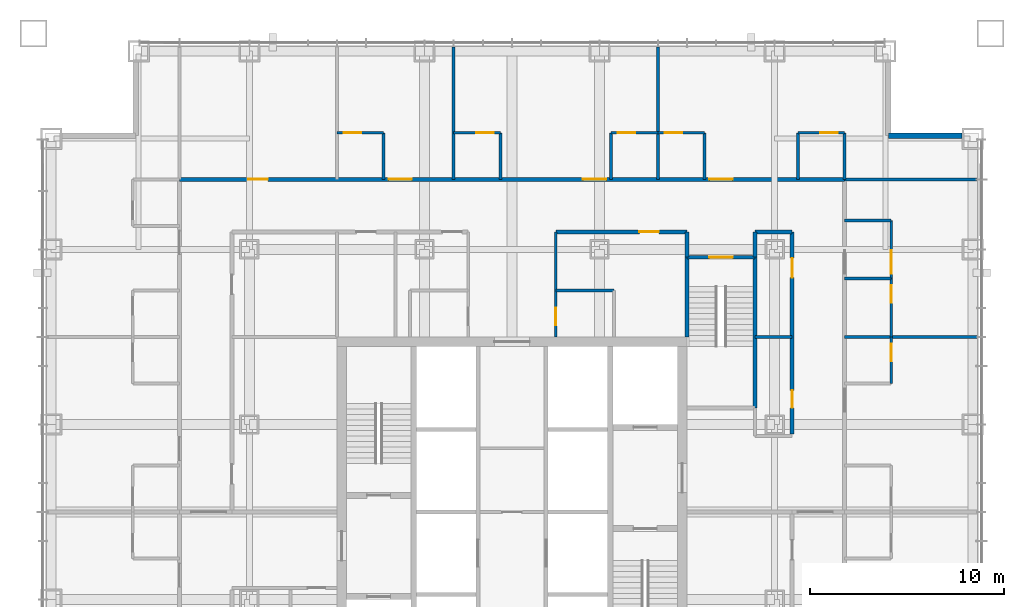
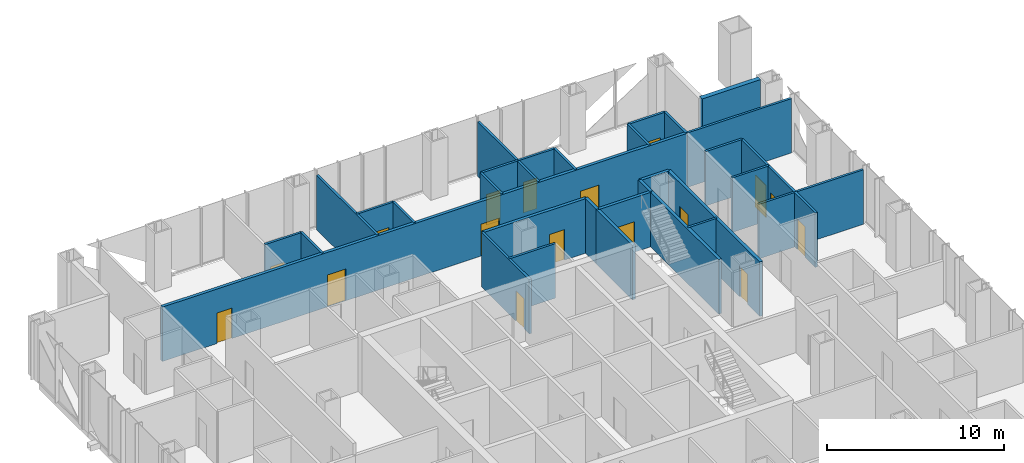
# One storey, part 12 of 14: 33 walls, 17 doors, 17 openings.
"""IFC4 building model written with IfcOpenShell, lengths in metres."""

from ifc_helpers import new_model, si_unit, direction, frame, frame_2d, origin, place, context, subcontext, project, spatial, rectangle, extrude, material, layer, layer_set, type_object, element, fill, save


model = new_model("IFC4")

# Units and contexts
model_context = context("Model", 3, precision=1e-05, world=origin(), true_north=direction((0.0, 1.0)))
body_context = subcontext(model_context, "Body", "Model", "MODEL_VIEW")
ifc_project = project(units=[si_unit("LENGTHUNIT", "METRE"), si_unit("AREAUNIT", "SQUARE_METRE"), si_unit("VOLUMEUNIT", "CUBIC_METRE"), si_unit("PLANEANGLEUNIT", "RADIAN"), si_unit("MASSUNIT", "GRAM", prefix="KILO")], contexts=[model_context])

# Site, building, storey
site_placement = place(None, origin())
site = spatial("IfcSite", under=ifc_project, at=site_placement, CompositionType="ELEMENT")
building_placement = place(site_placement, origin())
building = spatial("IfcBuilding", under=site, at=building_placement, Name="Malebo Sky Hospital", CompositionType="ELEMENT")
storey_placement = place(building_placement, frame((0.0, 0.0, 164.0)))
storey = spatial("IfcBuildingStorey", under=building, at=storey_placement, Name="L39", CompositionType="ELEMENT", Elevation=164.0)

# Wall, openings, doors
ifc_material_1 = material(Name="Gypsum board on steel studs", Category="steel")
ifc_layer_1 = layer(ifc_material_1, 0.199951171875)
ifc_layer_set_1 = layer_set([ifc_layer_1], Name="CORRIDOR WALL 200")
wall_type_1 = type_object("IfcWallType", Name="CORRIDOR WALL 200", PredefinedType="PARTITIONING", material=ifc_layer_set_1)
wall_1_placement = place(storey_placement, frame((42.89990234375, 79.10009765625, 0.0), z_axis=(0.0, 0.0, 1.0), x_axis=(1.0, 0.0, 0.0)))
wall_1 = element("IfcWall", 1, at=wall_1_placement, inside=storey, type_object=wall_type_1, Name="Corridor Wall 200 NCO", PredefinedType="PARTITIONING", context=body_context, shape_type="SweptSolid", body=[
    extrude(rectangle(XDim=34.2001953125, YDim=0.199951171875, at=frame_2d((17.10009765625, 0.0))), origin(), (0.0, 0.0, 1.0), 3.75),
])
opening_1_placement = place(wall_1_placement, frame((3.550048828125, 0.0, 0.0)))
opening_1 = element("IfcOpeningElement", 2, at=opening_1_placement, cuts=wall_1, Name="Opening D03", PredefinedType="OPENING", context=body_context, shape_type="SweptSolid", body=[
    extrude(rectangle(XDim=1.0, YDim=2.10009765625, at=frame_2d((0.5, 1.050048828125))), frame((0.0, 0.10986328125, 0.0), z_axis=(0.0, -1.0, 0.0), x_axis=(1.0, 0.0, 0.0)), (0.0, 0.0, 1.0), 0.219970703125),
])
opening_2_placement = place(wall_1_placement, frame((10.75, 0.0, 0.0)))
opening_2 = element("IfcOpeningElement", 3, at=opening_2_placement, cuts=wall_1, Name="Opening D01", PredefinedType="OPENING", context=body_context, shape_type="SweptSolid", body=[
    extrude(rectangle(XDim=1.199951171875, YDim=2.199951171875, at=frame_2d((0.60009765625, 1.10009765625))), frame((0.0, 0.10986328125, 0.0), z_axis=(0.0, -1.0, 0.0), x_axis=(1.0, 0.0, 0.0)), (0.0, 0.0, 1.0), 0.219970703125),
])
opening_3_placement = place(wall_1_placement, frame((20.75, 0.0, 0.0)))
opening_3 = element("IfcOpeningElement", 4, at=opening_3_placement, cuts=wall_1, Name="Opening D01", PredefinedType="OPENING", context=body_context, shape_type="SweptSolid", body=[
    extrude(rectangle(XDim=1.199951171875, YDim=2.199951171875, at=frame_2d((0.60009765625, 1.10009765625))), frame((0.0, 0.10986328125, 0.0), z_axis=(0.0, -1.0, 0.0), x_axis=(1.0, 0.0, 0.0)), (0.0, 0.0, 1.0), 0.219970703125),
])
opening_4_placement = place(wall_1_placement, frame((27.25, 0.0, 0.0)))
opening_4 = element("IfcOpeningElement", 5, at=opening_4_placement, cuts=wall_1, Name="Opening D01", PredefinedType="OPENING", context=body_context, shape_type="SweptSolid", body=[
    extrude(rectangle(XDim=1.199951171875, YDim=2.199951171875, at=frame_2d((0.60009765625, 1.10009765625))), frame((0.0, 0.10986328125, 0.0), z_axis=(0.0, -1.0, 0.0), x_axis=(1.0, 0.0, 0.0)), (0.0, 0.0, 1.0), 0.219970703125),
])
ifc_material_2 = material(Name="Hardwood-faced door leaf in steel frame", Category="steel")
door_type_1 = type_object("IfcDoorType", Name="BED DOOR 1200", OperationType="SINGLE_SWING_LEFT", PredefinedType="DOOR", material=ifc_material_2)
door_1_placement = place(opening_2_placement, origin())
door_1 = element("IfcDoor", 6, at=door_1_placement, inside=storey, type_object=door_type_1, Name="Single bed room door", OperationType="SINGLE_SWING_LEFT", OverallHeight=2.199951171875, OverallWidth=1.199951171875, PredefinedType="DOOR", context=body_context, shape_type="SweptSolid", body=[
    extrude(rectangle(XDim=1.199951171875, YDim=2.199951171875, at=frame_2d((0.60009765625, 1.10009765625))), frame((0.0, 0.02490234375, 0.0), z_axis=(0.0, -1.0, 0.0), x_axis=(1.0, 0.0, 0.0)), (0.0, 0.0, 1.0), 0.050048828125),
])
fill(opening_2, door_1)
door_2_placement = place(opening_3_placement, origin())
door_2 = element("IfcDoor", 7, at=door_2_placement, inside=storey, type_object=door_type_1, Name="Four-bed bay door", OperationType="SINGLE_SWING_RIGHT", OverallHeight=2.199951171875, OverallWidth=1.199951171875, PredefinedType="DOOR", context=body_context, shape_type="SweptSolid", body=[
    extrude(rectangle(XDim=1.199951171875, YDim=2.199951171875, at=frame_2d((0.60009765625, 1.10009765625))), frame((0.0, 0.02490234375, 0.0), z_axis=(0.0, -1.0, 0.0), x_axis=(1.0, 0.0, 0.0)), (0.0, 0.0, 1.0), 0.050048828125),
])
fill(opening_3, door_2)
door_3_placement = place(opening_4_placement, origin())
door_3 = element("IfcDoor", 8, at=door_3_placement, inside=storey, type_object=door_type_1, Name="Four-bed bay door", OperationType="SINGLE_SWING_LEFT", OverallHeight=2.199951171875, OverallWidth=1.199951171875, PredefinedType="DOOR", context=body_context, shape_type="SweptSolid", body=[
    extrude(rectangle(XDim=1.199951171875, YDim=2.199951171875, at=frame_2d((0.60009765625, 1.10009765625))), frame((0.0, 0.02490234375, 0.0), z_axis=(0.0, -1.0, 0.0), x_axis=(1.0, 0.0, 0.0)), (0.0, 0.0, 1.0), 0.050048828125),
])
fill(opening_4, door_3)
door_type_2 = type_object("IfcDoorType", Name="ROOM DOOR 1000", OperationType="SINGLE_SWING_LEFT", PredefinedType="DOOR", material=ifc_material_2)
door_4_placement = place(opening_1_placement, origin())
door_4 = element("IfcDoor", 9, at=door_4_placement, inside=storey, type_object=door_type_2, Name="Seminar room door", OperationType="SINGLE_SWING_LEFT", OverallHeight=2.10009765625, OverallWidth=1.0, PredefinedType="DOOR", context=body_context, shape_type="SweptSolid", body=[
    extrude(rectangle(XDim=1.0, YDim=2.10009765625, at=frame_2d((0.5, 1.050048828125))), frame((0.0, 0.02490234375, 0.0), z_axis=(0.0, -1.0, 0.0), x_axis=(1.0, 0.0, 0.0)), (0.0, 0.0, 1.0), 0.050048828125),
])
fill(opening_1, door_4)

# Wall, opening, door
wall_2_placement = place(storey_placement, frame((62.25, 76.39990234375, 0.0), z_axis=(0.0, 0.0, 1.0), x_axis=(1.0, 0.0, 0.0)))
wall_2 = element("IfcWall", 10, at=wall_2_placement, inside=storey, type_object=wall_type_1, Name="Corridor Wall 200 NCI2", PredefinedType="PARTITIONING", context=body_context, shape_type="SweptSolid", body=[
    extrude(rectangle(XDim=6.75, YDim=0.199951171875, at=frame_2d((3.375, 0.0))), origin(), (0.0, 0.0, 1.0), 3.75),
])
opening_5_placement = place(wall_2_placement, frame((4.300048828125, 0.0, 0.0)))
opening_5 = element("IfcOpeningElement", 11, at=opening_5_placement, cuts=wall_2, Name="Opening D03", PredefinedType="OPENING", context=body_context, shape_type="SweptSolid", body=[
    extrude(rectangle(XDim=1.0, YDim=2.10009765625, at=frame_2d((0.5, 1.050048828125))), frame((0.0, 0.10986328125, 0.0), z_axis=(0.0, -1.0, 0.0), x_axis=(1.0, 0.0, 0.0)), (0.0, 0.0, 1.0), 0.219970703125),
])
door_5_placement = place(opening_5_placement, origin())
door_5 = element("IfcDoor", 12, at=door_5_placement, inside=storey, type_object=door_type_2, Name="Seminar room door", OperationType="SINGLE_SWING_RIGHT", OverallHeight=2.10009765625, OverallWidth=1.0, PredefinedType="DOOR", context=body_context, shape_type="SweptSolid", body=[
    extrude(rectangle(XDim=1.0, YDim=2.10009765625, at=frame_2d((0.5, 1.050048828125))), frame((0.0, 0.02490234375, 0.0), z_axis=(0.0, -1.0, 0.0), x_axis=(1.0, 0.0, 0.0)), (0.0, 0.0, 1.0), 0.050048828125),
])
fill(opening_5, door_5)

# Wall
wall_3_placement = place(storey_placement, frame((72.5, 76.39990234375, 0.0), z_axis=(0.0, 0.0, 1.0), x_axis=(1.0, 0.0, 0.0)))
element("IfcWall", 13, at=wall_3_placement, inside=storey, type_object=wall_type_1, Name="Corridor Wall 200 NCI2/2", PredefinedType="PARTITIONING", context=body_context, shape_type="SweptSolid", body=[
    extrude(rectangle(XDim=1.89990234375, YDim=0.199951171875, at=frame_2d((0.949951171875, 0.0))), origin(), (0.0, 0.0, 1.0), 3.75),
])

# Wall, openings, doors
wall_4_placement = place(storey_placement, frame((74.39990234375, 76.39990234375, 0.0), z_axis=(0.0, 0.0, 1.0), x_axis=(0.0, -1.0, 0.0)))
wall_4 = element("IfcWall", 14, at=wall_4_placement, inside=storey, type_object=wall_type_1, Name="Corridor Wall 200 ECI1", PredefinedType="PARTITIONING", context=body_context, shape_type="SweptSolid", body=[
    extrude(rectangle(XDim=10.39990234375, YDim=0.199951171875, at=frame_2d((5.199951171875, 0.0))), origin(), (0.0, 0.0, 1.0), 3.75),
])
opening_6_placement = place(wall_4_placement, frame((1.35009765625, 0.0, 0.0)))
opening_6 = element("IfcOpeningElement", 15, at=opening_6_placement, cuts=wall_4, Name="Opening D03", PredefinedType="OPENING", context=body_context, shape_type="SweptSolid", body=[
    extrude(rectangle(XDim=1.0, YDim=2.10009765625, at=frame_2d((0.5, 1.050048828125))), frame((0.0, 0.10986328125, 0.0), z_axis=(0.0, -1.0, 0.0), x_axis=(1.0, 0.0, 0.0)), (0.0, 0.0, 1.0), 0.219970703125),
])
opening_7_placement = place(wall_4_placement, frame((8.14990234375, 0.0, 0.0)))
opening_7 = element("IfcOpeningElement", 16, at=opening_7_placement, cuts=wall_4, Name="Opening D04", PredefinedType="OPENING", context=body_context, shape_type="SweptSolid", body=[
    extrude(rectangle(XDim=0.89990234375, YDim=2.10009765625, at=frame_2d((0.449951171875, 1.050048828125))), frame((0.0, 0.10986328125, 0.0), z_axis=(0.0, -1.0, 0.0), x_axis=(1.0, 0.0, 0.0)), (0.0, 0.0, 1.0), 0.219970703125),
])
door_6_placement = place(opening_6_placement, origin())
door_6 = element("IfcDoor", 17, at=door_6_placement, inside=storey, type_object=door_type_2, Name="Consulting room door", OperationType="SINGLE_SWING_LEFT", OverallHeight=2.10009765625, OverallWidth=1.0, PredefinedType="DOOR", context=body_context, shape_type="SweptSolid", body=[
    extrude(rectangle(XDim=1.0, YDim=2.10009765625, at=frame_2d((0.5, 1.050048828125))), frame((0.0, 0.02490234375, 0.0), z_axis=(0.0, -1.0, 0.0), x_axis=(1.0, 0.0, 0.0)), (0.0, 0.0, 1.0), 0.050048828125),
])
fill(opening_6, door_6)
door_type_3 = type_object("IfcDoorType", Name="ROOM DOOR 900", OperationType="SINGLE_SWING_LEFT", PredefinedType="DOOR", material=ifc_material_2)
door_7_placement = place(opening_7_placement, origin())
door_7 = element("IfcDoor", 18, at=door_7_placement, inside=storey, type_object=door_type_3, Name="Equipment store door", OperationType="SINGLE_SWING_RIGHT", OverallHeight=2.10009765625, OverallWidth=0.89990234375, PredefinedType="DOOR", context=body_context, shape_type="SweptSolid", body=[
    extrude(rectangle(XDim=0.89990234375, YDim=2.10009765625, at=frame_2d((0.449951171875, 1.050048828125))), frame((0.0, 0.02490234375, 0.0), z_axis=(0.0, -1.0, 0.0), x_axis=(1.0, 0.0, 0.0)), (0.0, 0.0, 1.0), 0.050048828125),
])
fill(opening_7, door_7)

# Walls
for number, where, z_axis, x_axis, name in (
    (19, (69.0, 75.10009765625, 0.0), (0.0, 0.0, 1.0), (0.0, 1.0, 0.0), "Corridor Wall 200 ST3AW"),
    (20, (72.5, 75.10009765625, 0.0), (0.0, 0.0, 1.0), (0.0, 1.0, 0.0), "Corridor Wall 200 ST3AE"),
):
    element("IfcWall", number, at=place(storey_placement, frame(where, z_axis=z_axis, x_axis=x_axis)), inside=storey, type_object=wall_type_1, Name=name, PredefinedType="PARTITIONING", context=body_context, shape_type="SweptSolid", body=[
        extrude(rectangle(XDim=1.2998046875, YDim=0.199951171875, at=frame_2d((0.64990234375, 0.0))), origin(), (0.0, 0.0, 1.0), 3.75),
    ])
ifc_material_3 = material(Name="Anodised aluminium rainscreen on steel framing", Category="steel")
ifc_layer_2 = layer(ifc_material_3, 0.300048828125)
ifc_layer_set_2 = layer_set([ifc_layer_2], Name="NOTCH RAINSCREEN WALL 300")
wall_type_2 = type_object("IfcWallType", Name="NOTCH RAINSCREEN WALL 300", PredefinedType="ELEMENTEDWALL", material=ifc_layer_set_2)
wall_5_placement = place(storey_placement, frame((79.35009765625, 81.35009765625, 0.0), z_axis=(0.0, 0.0, 1.0), x_axis=(1.0, 0.0, 0.0)))
element("IfcWall", 21, at=wall_5_placement, inside=storey, type_object=wall_type_2, Name="Notch rainscreen wall N2 L39", PredefinedType="ELEMENTEDWALL", context=body_context, shape_type="SweptSolid", body=[
    extrude(rectangle(XDim=3.7998046875, YDim=0.300048828125, at=frame_2d((1.89990234375, 0.0))), origin(), (0.0, 0.0, 1.0), 4.0),
])
ifc_layer_3 = layer(ifc_material_1, 0.14990234375)
ifc_layer_set_3 = layer_set([ifc_layer_3], Name="PARTITION 150")
wall_type_3 = type_object("IfcWallType", Name="PARTITION 150", PredefinedType="PARTITIONING", material=ifc_layer_set_3)
for number, where, z_axis, x_axis, name in (
    (22, (57.0, 79.10009765625, 0.0), (0.0, 0.0, 1.0), (0.0, 1.0, 0.0), "Partition 150 NP-3.0"),
    (23, (67.5, 79.10009765625, 0.0), (0.0, 0.0, 1.0), (0.0, 1.0, 0.0), "Partition 150 NP+7.5"),
):
    element("IfcWall", number, at=place(storey_placement, frame(where, z_axis=z_axis, x_axis=x_axis)), inside=storey, type_object=wall_type_3, Name=name, PredefinedType="PARTITIONING", context=body_context, shape_type="SweptSolid", body=[
        extrude(rectangle(XDim=6.809814453125, YDim=0.14990234375, at=frame_2d((3.40478515625, 0.0))), origin(), (0.0, 0.0, 1.0), 3.75),
    ])

# Wall, opening, door
wall_6_placement = place(storey_placement, frame((51.0, 81.5, 0.0), z_axis=(0.0, 0.0, 1.0), x_axis=(1.0, 0.0, 0.0)))
wall_6 = element("IfcWall", 24, at=wall_6_placement, inside=storey, type_object=wall_type_3, Name="Partition 150 NE1F", PredefinedType="PARTITIONING", context=body_context, shape_type="SweptSolid", body=[
    extrude(rectangle(XDim=2.39990234375, YDim=0.14990234375, at=frame_2d((1.199951171875, 0.0))), origin(), (0.0, 0.0, 1.0), 3.75),
])
opening_8_placement = place(wall_6_placement, frame((0.35009765625, 0.0, 0.0)))
opening_8 = element("IfcOpeningElement", 25, at=opening_8_placement, cuts=wall_6, Name="Opening D02", PredefinedType="OPENING", context=body_context, shape_type="SweptSolid", body=[
    extrude(rectangle(XDim=0.89990234375, YDim=2.10009765625, at=frame_2d((0.449951171875, 1.050048828125))), frame((0.0, 0.0849609375, 0.0), z_axis=(0.0, -1.0, 0.0), x_axis=(1.0, 0.0, 0.0)), (0.0, 0.0, 1.0), 0.169921875),
])
door_type_4 = type_object("IfcDoorType", Name="EN-SUITE DOOR 900", OperationType="SINGLE_SWING_LEFT", PredefinedType="DOOR", material=ifc_material_2)
door_8_placement = place(opening_8_placement, origin())
door_8 = element("IfcDoor", 26, at=door_8_placement, inside=storey, type_object=door_type_4, Name="En-suite door", OperationType="SINGLE_SWING_LEFT", OverallHeight=2.10009765625, OverallWidth=0.89990234375, PredefinedType="DOOR", context=body_context, shape_type="SweptSolid", body=[
    extrude(rectangle(XDim=0.89990234375, YDim=2.10009765625, at=frame_2d((0.449951171875, 1.050048828125))), frame((0.0, 0.02490234375, 0.0), z_axis=(0.0, -1.0, 0.0), x_axis=(1.0, 0.0, 0.0)), (0.0, 0.0, 1.0), 0.050048828125),
])
fill(opening_8, door_8)

# Wall
wall_7_placement = place(storey_placement, frame((53.39990234375, 79.10009765625, 0.0), z_axis=(0.0, 0.0, 1.0), x_axis=(0.0, 1.0, 0.0)))
element("IfcWall", 27, at=wall_7_placement, inside=storey, type_object=wall_type_3, Name="Partition 150 NE1S", PredefinedType="PARTITIONING", context=body_context, shape_type="SweptSolid", body=[
    extrude(rectangle(XDim=2.39990234375, YDim=0.14990234375, at=frame_2d((1.199951171875, 0.0))), origin(), (0.0, 0.0, 1.0), 3.75),
])

# Wall, opening, door
wall_8_placement = place(storey_placement, frame((65.10009765625, 81.5, 0.0), z_axis=(0.0, 0.0, 1.0), x_axis=(1.0, 0.0, 0.0)))
wall_8 = element("IfcWall", 28, at=wall_8_placement, inside=storey, type_object=wall_type_3, Name="Partition 150 NE2F", PredefinedType="PARTITIONING", context=body_context, shape_type="SweptSolid", body=[
    extrude(rectangle(XDim=2.39990234375, YDim=0.14990234375, at=frame_2d((1.199951171875, 0.0))), origin(), (0.0, 0.0, 1.0), 3.75),
])
opening_9_placement = place(wall_8_placement, frame((0.35009765625, 0.0, 0.0)))
opening_9 = element("IfcOpeningElement", 29, at=opening_9_placement, cuts=wall_8, Name="Opening D02", PredefinedType="OPENING", context=body_context, shape_type="SweptSolid", body=[
    extrude(rectangle(XDim=0.89990234375, YDim=2.10009765625, at=frame_2d((0.449951171875, 1.050048828125))), frame((0.0, 0.0849609375, 0.0), z_axis=(0.0, -1.0, 0.0), x_axis=(1.0, 0.0, 0.0)), (0.0, 0.0, 1.0), 0.169921875),
])
door_9_placement = place(opening_9_placement, origin())
door_9 = element("IfcDoor", 30, at=door_9_placement, inside=storey, type_object=door_type_4, Name="En-suite door", OperationType="SINGLE_SWING_LEFT", OverallHeight=2.10009765625, OverallWidth=0.89990234375, PredefinedType="DOOR", context=body_context, shape_type="SweptSolid", body=[
    extrude(rectangle(XDim=0.89990234375, YDim=2.10009765625, at=frame_2d((0.449951171875, 1.050048828125))), frame((0.0, 0.02490234375, 0.0), z_axis=(0.0, -1.0, 0.0), x_axis=(1.0, 0.0, 0.0)), (0.0, 0.0, 1.0), 0.050048828125),
])
fill(opening_9, door_9)

# Wall
wall_9_placement = place(storey_placement, frame((65.10009765625, 79.10009765625, 0.0), z_axis=(0.0, 0.0, 1.0), x_axis=(0.0, 1.0, 0.0)))
element("IfcWall", 31, at=wall_9_placement, inside=storey, type_object=wall_type_3, Name="Partition 150 NE2S", PredefinedType="PARTITIONING", context=body_context, shape_type="SweptSolid", body=[
    extrude(rectangle(XDim=2.39990234375, YDim=0.14990234375, at=frame_2d((1.199951171875, 0.0))), origin(), (0.0, 0.0, 1.0), 3.75),
])

# Wall, opening, door
wall_10_placement = place(storey_placement, frame((57.0, 81.5, 0.0), z_axis=(0.0, 0.0, 1.0), x_axis=(1.0, 0.0, 0.0)))
wall_10 = element("IfcWall", 32, at=wall_10_placement, inside=storey, type_object=wall_type_3, Name="Partition 150 NG2F", PredefinedType="PARTITIONING", context=body_context, shape_type="SweptSolid", body=[
    extrude(rectangle(XDim=2.39990234375, YDim=0.14990234375, at=frame_2d((1.199951171875, 0.0))), origin(), (0.0, 0.0, 1.0), 3.75),
])
opening_10_placement = place(wall_10_placement, frame((1.14990234375, 0.0, 0.0)))
opening_10 = element("IfcOpeningElement", 33, at=opening_10_placement, cuts=wall_10, Name="Opening D02", PredefinedType="OPENING", context=body_context, shape_type="SweptSolid", body=[
    extrude(rectangle(XDim=0.89990234375, YDim=2.10009765625, at=frame_2d((0.449951171875, 1.050048828125))), frame((0.0, 0.0849609375, 0.0), z_axis=(0.0, -1.0, 0.0), x_axis=(1.0, 0.0, 0.0)), (0.0, 0.0, 1.0), 0.169921875),
])
door_10_placement = place(opening_10_placement, origin())
door_10 = element("IfcDoor", 34, at=door_10_placement, inside=storey, type_object=door_type_4, Name="En-suite door", OperationType="SINGLE_SWING_RIGHT", OverallHeight=2.10009765625, OverallWidth=0.89990234375, PredefinedType="DOOR", context=body_context, shape_type="SweptSolid", body=[
    extrude(rectangle(XDim=0.89990234375, YDim=2.10009765625, at=frame_2d((0.449951171875, 1.050048828125))), frame((0.0, 0.02490234375, 0.0), z_axis=(0.0, -1.0, 0.0), x_axis=(1.0, 0.0, 0.0)), (0.0, 0.0, 1.0), 0.050048828125),
])
fill(opening_10, door_10)

# Wall
wall_11_placement = place(storey_placement, frame((59.39990234375, 79.10009765625, 0.0), z_axis=(0.0, 0.0, 1.0), x_axis=(0.0, 1.0, 0.0)))
element("IfcWall", 35, at=wall_11_placement, inside=storey, type_object=wall_type_3, Name="Partition 150 NG2S", PredefinedType="PARTITIONING", context=body_context, shape_type="SweptSolid", body=[
    extrude(rectangle(XDim=2.39990234375, YDim=0.14990234375, at=frame_2d((1.199951171875, 0.0))), origin(), (0.0, 0.0, 1.0), 3.75),
])

# Wall, opening, door
wall_12_placement = place(storey_placement, frame((67.5, 81.5, 0.0), z_axis=(0.0, 0.0, 1.0), x_axis=(1.0, 0.0, 0.0)))
wall_12 = element("IfcWall", 36, at=wall_12_placement, inside=storey, type_object=wall_type_3, Name="Partition 150 NE3F", PredefinedType="PARTITIONING", context=body_context, shape_type="SweptSolid", body=[
    extrude(rectangle(XDim=2.39990234375, YDim=0.14990234375, at=frame_2d((1.199951171875, 0.0))), origin(), (0.0, 0.0, 1.0), 3.75),
])
opening_11_placement = place(wall_12_placement, frame((0.35009765625, 0.0, 0.0)))
opening_11 = element("IfcOpeningElement", 37, at=opening_11_placement, cuts=wall_12, Name="Opening D02", PredefinedType="OPENING", context=body_context, shape_type="SweptSolid", body=[
    extrude(rectangle(XDim=0.89990234375, YDim=2.10009765625, at=frame_2d((0.449951171875, 1.050048828125))), frame((0.0, 0.0849609375, 0.0), z_axis=(0.0, -1.0, 0.0), x_axis=(1.0, 0.0, 0.0)), (0.0, 0.0, 1.0), 0.169921875),
])
door_11_placement = place(opening_11_placement, origin())
door_11 = element("IfcDoor", 38, at=door_11_placement, inside=storey, type_object=door_type_4, Name="En-suite door", OperationType="SINGLE_SWING_LEFT", OverallHeight=2.10009765625, OverallWidth=0.89990234375, PredefinedType="DOOR", context=body_context, shape_type="SweptSolid", body=[
    extrude(rectangle(XDim=0.89990234375, YDim=2.10009765625, at=frame_2d((0.449951171875, 1.050048828125))), frame((0.0, 0.02490234375, 0.0), z_axis=(0.0, -1.0, 0.0), x_axis=(1.0, 0.0, 0.0)), (0.0, 0.0, 1.0), 0.050048828125),
])
fill(opening_11, door_11)

# Wall
wall_13_placement = place(storey_placement, frame((69.89990234375, 79.10009765625, 0.0), z_axis=(0.0, 0.0, 1.0), x_axis=(0.0, 1.0, 0.0)))
element("IfcWall", 39, at=wall_13_placement, inside=storey, type_object=wall_type_3, Name="Partition 150 NE3S", PredefinedType="PARTITIONING", context=body_context, shape_type="SweptSolid", body=[
    extrude(rectangle(XDim=2.39990234375, YDim=0.14990234375, at=frame_2d((1.199951171875, 0.0))), origin(), (0.0, 0.0, 1.0), 3.75),
])

# Wall, opening, door
wall_14_placement = place(storey_placement, frame((74.699951171875, 81.5, 0.0), z_axis=(0.0, 0.0, 1.0), x_axis=(1.0, 0.0, 0.0)))
wall_14 = element("IfcWall", 40, at=wall_14_placement, inside=storey, type_object=wall_type_3, Name="Partition 150 NG3F", PredefinedType="PARTITIONING", context=body_context, shape_type="SweptSolid", body=[
    extrude(rectangle(XDim=2.400146484375, YDim=0.14990234375, at=frame_2d((1.2001953125, 0.0))), origin(), (0.0, 0.0, 1.0), 3.75),
])
opening_12_placement = place(wall_14_placement, frame((1.14990234375, 0.0, 0.0)))
opening_12 = element("IfcOpeningElement", 41, at=opening_12_placement, cuts=wall_14, Name="Opening D02", PredefinedType="OPENING", context=body_context, shape_type="SweptSolid", body=[
    extrude(rectangle(XDim=0.89990234375, YDim=2.10009765625, at=frame_2d((0.449951171875, 1.050048828125))), frame((0.0, 0.0849609375, 0.0), z_axis=(0.0, -1.0, 0.0), x_axis=(1.0, 0.0, 0.0)), (0.0, 0.0, 1.0), 0.169921875),
])
door_12_placement = place(opening_12_placement, origin())
door_12 = element("IfcDoor", 42, at=door_12_placement, inside=storey, type_object=door_type_4, Name="En-suite door", OperationType="SINGLE_SWING_RIGHT", OverallHeight=2.10009765625, OverallWidth=0.89990234375, PredefinedType="DOOR", context=body_context, shape_type="SweptSolid", body=[
    extrude(rectangle(XDim=0.89990234375, YDim=2.10009765625, at=frame_2d((0.449951171875, 1.050048828125))), frame((0.0, 0.02490234375, 0.0), z_axis=(0.0, -1.0, 0.0), x_axis=(1.0, 0.0, 0.0)), (0.0, 0.0, 1.0), 0.050048828125),
])
fill(opening_12, door_12)

# Walls
for number, where, z_axis, x_axis, name in (
    (43, (74.699951171875, 79.10009765625, 0.0), (0.0, 0.0, 1.0), (0.0, 1.0, 0.0), "Partition 150 NG3S"),
    (44, (77.10009765625, 79.10009765625, 0.0), (0.0, 0.0, 1.0), (0.0, 1.0, 0.0), "Partition 150 NEZ"),
):
    element("IfcWall", number, at=place(storey_placement, frame(where, z_axis=z_axis, x_axis=x_axis)), inside=storey, type_object=wall_type_3, Name=name, PredefinedType="PARTITIONING", context=body_context, shape_type="SweptSolid", body=[
        extrude(rectangle(XDim=2.39990234375, YDim=0.14990234375, at=frame_2d((1.199951171875, 0.0))), origin(), (0.0, 0.0, 1.0), 3.75),
    ])

# Wall, opening, door
wall_15_placement = place(storey_placement, frame((62.25, 71.0, 0.0), z_axis=(0.0, 0.0, 1.0), x_axis=(0.0, 1.0, 0.0)))
wall_15 = element("IfcWall", 45, at=wall_15_placement, inside=storey, type_object=wall_type_3, Name="Partition 150 NSPB", PredefinedType="PARTITIONING", context=body_context, shape_type="SweptSolid", body=[
    extrude(rectangle(XDim=5.39990234375, YDim=0.14990234375, at=frame_2d((2.699951171875, 0.0))), origin(), (0.0, 0.0, 1.0), 3.75),
])
opening_13_placement = place(wall_15_placement, frame((0.60009765625, 0.0, 0.0)))
opening_13 = element("IfcOpeningElement", 46, at=opening_13_placement, cuts=wall_15, Name="Opening D04", PredefinedType="OPENING", context=body_context, shape_type="SweptSolid", body=[
    extrude(rectangle(XDim=0.89990234375, YDim=2.10009765625, at=frame_2d((0.449951171875, 1.050048828125))), frame((0.0, 0.0849609375, 0.0), z_axis=(0.0, -1.0, 0.0), x_axis=(1.0, 0.0, 0.0)), (0.0, 0.0, 1.0), 0.169921875),
])
door_13_placement = place(opening_13_placement, origin())
door_13 = element("IfcDoor", 47, at=door_13_placement, inside=storey, type_object=door_type_3, Name="Accessible WC door", OperationType="SINGLE_SWING_LEFT", OverallHeight=2.10009765625, OverallWidth=0.89990234375, PredefinedType="DOOR", context=body_context, shape_type="SweptSolid", body=[
    extrude(rectangle(XDim=0.89990234375, YDim=2.10009765625, at=frame_2d((0.449951171875, 1.050048828125))), frame((0.0, 0.02490234375, 0.0), z_axis=(0.0, -1.0, 0.0), x_axis=(1.0, 0.0, 0.0)), (0.0, 0.0, 1.0), 0.050048828125),
])
fill(opening_13, door_13)

# Walls
wall_16_placement = place(storey_placement, frame((62.25, 73.39990234375, 0.0), z_axis=(0.0, 0.0, 1.0), x_axis=(1.0, 0.0, 0.0)))
element("IfcWall", 48, at=wall_16_placement, inside=storey, type_object=wall_type_3, Name="Partition 150 NSX2", PredefinedType="PARTITIONING", context=body_context, shape_type="SweptSolid", body=[
    extrude(rectangle(XDim=3.0, YDim=0.14990234375, at=frame_2d((1.5, 0.0))), origin(), (0.0, 0.0, 1.0), 3.75),
])
for number, where, z_axis, x_axis, name in (
    (49, (77.10009765625, 71.0, 0.0), (0.0, 0.0, 1.0), (1.0, 0.0, 0.0), "Partition 150 EP-9.0"),
    (50, (77.10009765625, 79.10009765625, 0.0), (0.0, 0.0, 1.0), (1.0, 0.0, 0.0), "Partition 150 EP0"),
):
    element("IfcWall", number, at=place(storey_placement, frame(where, z_axis=z_axis, x_axis=x_axis)), inside=storey, type_object=wall_type_3, Name=name, PredefinedType="PARTITIONING", context=body_context, shape_type="SweptSolid", body=[
        extrude(rectangle(XDim=6.809814453125, YDim=0.14990234375, at=frame_2d((3.40478515625, 0.0))), origin(), (0.0, 0.0, 1.0), 3.75),
    ])

# Wall, opening, door
wall_17_placement = place(storey_placement, frame((79.5, 74.0, 0.0), z_axis=(0.0, 0.0, 1.0), x_axis=(0.0, -1.0, 0.0)))
wall_17 = element("IfcWall", 51, at=wall_17_placement, inside=storey, type_object=wall_type_3, Name="Partition 150 EE0F", PredefinedType="PARTITIONING", context=body_context, shape_type="SweptSolid", body=[
    extrude(rectangle(XDim=3.0, YDim=0.14990234375, at=frame_2d((1.5, 0.0))), origin(), (0.0, 0.0, 1.0), 3.75),
])
opening_14_placement = place(wall_17_placement, frame((0.35009765625, 0.0, 0.0)))
opening_14 = element("IfcOpeningElement", 52, at=opening_14_placement, cuts=wall_17, Name="Opening D02", PredefinedType="OPENING", context=body_context, shape_type="SweptSolid", body=[
    extrude(rectangle(XDim=0.89990234375, YDim=2.10009765625, at=frame_2d((0.449951171875, 1.050048828125))), frame((0.0, 0.0849609375, 0.0), z_axis=(0.0, -1.0, 0.0), x_axis=(1.0, 0.0, 0.0)), (0.0, 0.0, 1.0), 0.169921875),
])
door_14_placement = place(opening_14_placement, origin())
door_14 = element("IfcDoor", 53, at=door_14_placement, inside=storey, type_object=door_type_4, Name="En-suite door", OperationType="SINGLE_SWING_LEFT", OverallHeight=2.10009765625, OverallWidth=0.89990234375, PredefinedType="DOOR", context=body_context, shape_type="SweptSolid", body=[
    extrude(rectangle(XDim=0.89990234375, YDim=2.10009765625, at=frame_2d((0.449951171875, 1.050048828125))), frame((0.0, 0.02490234375, 0.0), z_axis=(0.0, -1.0, 0.0), x_axis=(1.0, 0.0, 0.0)), (0.0, 0.0, 1.0), 0.050048828125),
])
fill(opening_14, door_14)

# Wall
wall_18_placement = place(storey_placement, frame((77.10009765625, 74.0, 0.0), z_axis=(0.0, 0.0, 1.0), x_axis=(1.0, 0.0, 0.0)))
element("IfcWall", 54, at=wall_18_placement, inside=storey, type_object=wall_type_3, Name="Partition 150 EE0S", PredefinedType="PARTITIONING", context=body_context, shape_type="SweptSolid", body=[
    extrude(rectangle(XDim=2.39990234375, YDim=0.14990234375, at=frame_2d((1.199951171875, 0.0))), origin(), (0.0, 0.0, 1.0), 3.75),
])

# Wall, opening, door
wall_19_placement = place(storey_placement, frame((79.5, 71.0, 0.0), z_axis=(0.0, 0.0, 1.0), x_axis=(0.0, -1.0, 0.0)))
wall_19 = element("IfcWall", 55, at=wall_19_placement, inside=storey, type_object=wall_type_3, Name="Partition 150 EE1F", PredefinedType="PARTITIONING", context=body_context, shape_type="SweptSolid", body=[
    extrude(rectangle(XDim=2.39990234375, YDim=0.14990234375, at=frame_2d((1.199951171875, 0.0))), origin(), (0.0, 0.0, 1.0), 3.75),
])
opening_15_placement = place(wall_19_placement, frame((0.35009765625, 0.0, 0.0)))
opening_15 = element("IfcOpeningElement", 56, at=opening_15_placement, cuts=wall_19, Name="Opening D02", PredefinedType="OPENING", context=body_context, shape_type="SweptSolid", body=[
    extrude(rectangle(XDim=0.89990234375, YDim=2.10009765625, at=frame_2d((0.449951171875, 1.050048828125))), frame((0.0, 0.0849609375, 0.0), z_axis=(0.0, -1.0, 0.0), x_axis=(1.0, 0.0, 0.0)), (0.0, 0.0, 1.0), 0.169921875),
])
door_15_placement = place(opening_15_placement, origin())
door_15 = element("IfcDoor", 57, at=door_15_placement, inside=storey, type_object=door_type_4, Name="En-suite door", OperationType="SINGLE_SWING_LEFT", OverallHeight=2.10009765625, OverallWidth=0.89990234375, PredefinedType="DOOR", context=body_context, shape_type="SweptSolid", body=[
    extrude(rectangle(XDim=0.89990234375, YDim=2.10009765625, at=frame_2d((0.449951171875, 1.050048828125))), frame((0.0, 0.02490234375, 0.0), z_axis=(0.0, -1.0, 0.0), x_axis=(1.0, 0.0, 0.0)), (0.0, 0.0, 1.0), 0.050048828125),
])
fill(opening_15, door_15)

# Wall
wall_20_placement = place(storey_placement, frame((72.5, 71.0, 0.0), z_axis=(0.0, 0.0, 1.0), x_axis=(1.0, 0.0, 0.0)))
element("IfcWall", 58, at=wall_20_placement, inside=storey, type_object=wall_type_3, Name="Partition 150 ESP0", PredefinedType="PARTITIONING", context=body_context, shape_type="SweptSolid", body=[
    extrude(rectangle(XDim=1.89990234375, YDim=0.14990234375, at=frame_2d((0.949951171875, 0.0))), origin(), (0.0, 0.0, 1.0), 3.75),
])

# Wall, opening, door
ifc_material_4 = material(Name="Sealed gypsum board on steel studs, taped to the slab", Category="steel")
ifc_layer_4 = layer(ifc_material_4, 0.14990234375)
ifc_layer_set_4 = layer_set([ifc_layer_4], Name="SEALED ISOLATION PARTITION 150")
wall_type_4 = type_object("IfcWallType", Name="SEALED ISOLATION PARTITION 150", PredefinedType="PARTITIONING", material=ifc_layer_set_4)
wall_21_placement = place(storey_placement, frame((79.5, 77.0, 0.0), z_axis=(0.0, 0.0, 1.0), x_axis=(0.0, -1.0, 0.0)))
wall_21 = element("IfcWall", 59, at=wall_21_placement, inside=storey, type_object=wall_type_4, Name="Sealed Isolation Partition 150 EA0F", PredefinedType="PARTITIONING", context=body_context, shape_type="SweptSolid", body=[
    extrude(rectangle(XDim=3.0, YDim=0.14990234375, at=frame_2d((1.5, 0.0))), origin(), (0.0, 0.0, 1.0), 3.75),
])
opening_16_placement = place(wall_21_placement, frame((1.550048828125, 0.0, 0.0)))
opening_16 = element("IfcOpeningElement", 60, at=opening_16_placement, cuts=wall_21, Name="Opening D19", PredefinedType="OPENING", context=body_context, shape_type="SweptSolid", body=[
    extrude(rectangle(XDim=1.199951171875, YDim=2.199951171875, at=frame_2d((0.60009765625, 1.10009765625))), frame((0.0, 0.0849609375, 0.0), z_axis=(0.0, -1.0, 0.0), x_axis=(1.0, 0.0, 0.0)), (0.0, 0.0, 1.0), 0.169921875),
])
ifc_material_5 = material(Name="Hardwood-faced door leaf with perimeter seals in steel frame", Category="steel")
door_type_5 = type_object("IfcDoorType", Name="SEALED ISOLATION ROOM DOOR 1200", OperationType="SINGLE_SWING_LEFT", PredefinedType="DOOR", material=ifc_material_5)
door_16_placement = place(opening_16_placement, origin())
door_16 = element("IfcDoor", 61, at=door_16_placement, inside=storey, type_object=door_type_5, Name="Isolation room door", OperationType="SINGLE_SWING_RIGHT", OverallHeight=2.199951171875, OverallWidth=1.199951171875, PredefinedType="DOOR", context=body_context, shape_type="SweptSolid", body=[
    extrude(rectangle(XDim=1.199951171875, YDim=2.199951171875, at=frame_2d((0.60009765625, 1.10009765625))), frame((0.0, 0.02490234375, 0.0), z_axis=(0.0, -1.0, 0.0), x_axis=(1.0, 0.0, 0.0)), (0.0, 0.0, 1.0), 0.050048828125),
])
fill(opening_16, door_16)

# Walls
wall_22_placement = place(storey_placement, frame((77.10009765625, 77.0, 0.0), z_axis=(0.0, 0.0, 1.0), x_axis=(1.0, 0.0, 0.0)))
element("IfcWall", 62, at=wall_22_placement, inside=storey, type_object=wall_type_4, Name="Sealed Isolation Partition 150 EA0S", PredefinedType="PARTITIONING", context=body_context, shape_type="SweptSolid", body=[
    extrude(rectangle(XDim=2.39990234375, YDim=0.14990234375, at=frame_2d((1.199951171875, 0.0))), origin(), (0.0, 0.0, 1.0), 3.75),
])
ifc_material_6 = material(Name="Concrete C40/50", Category="concrete")
ifc_layer_5 = layer(ifc_material_6, 0.199951171875)
ifc_layer_set_5 = layer_set([ifc_layer_5], Name="STAIR ENCLOSURE WALL 200")
wall_type_5 = type_object("IfcWallType", Name="STAIR ENCLOSURE WALL 200", PredefinedType="SOLIDWALL", material=ifc_layer_set_5)
wall_23_placement = place(storey_placement, frame((69.0, 71.0, 0.0), z_axis=(0.0, 0.0, 1.0), x_axis=(0.0, 1.0, 0.0)))
element("IfcWall", 63, at=wall_23_placement, inside=storey, type_object=wall_type_5, Name="Stair Enclosure Wall 200 ST3W", PredefinedType="SOLIDWALL", context=body_context, shape_type="SweptSolid", body=[
    extrude(rectangle(XDim=4.10009765625, YDim=0.199951171875, at=frame_2d((2.050048828125, 0.0))), origin(), (0.0, 0.0, 1.0), 3.75),
])
wall_24_placement = place(storey_placement, frame((72.5, 67.35009765625, 0.0), z_axis=(0.0, 0.0, 1.0), x_axis=(0.0, 1.0, 0.0)))
element("IfcWall", 64, at=wall_24_placement, inside=storey, type_object=wall_type_5, Name="Stair Enclosure Wall 200 ST3E", PredefinedType="SOLIDWALL", context=body_context, shape_type="SweptSolid", body=[
    extrude(rectangle(XDim=7.75, YDim=0.199951171875, at=frame_2d((3.875, 0.0))), origin(), (0.0, 0.0, 1.0), 3.75),
])

# Wall, opening, door
wall_25_placement = place(storey_placement, frame((69.0, 75.10009765625, 0.0), z_axis=(0.0, 0.0, 1.0), x_axis=(1.0, 0.0, 0.0)))
wall_25 = element("IfcWall", 65, at=wall_25_placement, inside=storey, type_object=wall_type_5, Name="Stair Enclosure Wall 200 ST3N", PredefinedType="SOLIDWALL", context=body_context, shape_type="SweptSolid", body=[
    extrude(rectangle(XDim=3.5, YDim=0.199951171875, at=frame_2d((1.75, 0.0))), origin(), (0.0, 0.0, 1.0), 3.75),
])
opening_17_placement = place(wall_25_placement, frame((1.14990234375, 0.0, 0.0)))
opening_17 = element("IfcOpeningElement", 66, at=opening_17_placement, cuts=wall_25, Name="Opening D08", PredefinedType="OPENING", context=body_context, shape_type="SweptSolid", body=[
    extrude(rectangle(XDim=1.199951171875, YDim=2.10009765625, at=frame_2d((0.60009765625, 1.050048828125))), frame((0.0, 0.10986328125, 0.0), z_axis=(0.0, -1.0, 0.0), x_axis=(1.0, 0.0, 0.0)), (0.0, 0.0, 1.0), 0.219970703125),
])
door_type_6 = type_object("IfcDoorType", Name="STAIR DOOR 1200", OperationType="SINGLE_SWING_LEFT", PredefinedType="DOOR", material=ifc_material_2)
door_17_placement = place(opening_17_placement, origin())
door_17 = element("IfcDoor", 67, at=door_17_placement, inside=storey, type_object=door_type_6, Name="Stair S3 door", OperationType="SINGLE_SWING_LEFT", OverallHeight=2.10009765625, OverallWidth=1.199951171875, PredefinedType="DOOR", context=body_context, shape_type="SweptSolid", body=[
    extrude(rectangle(XDim=1.199951171875, YDim=2.10009765625, at=frame_2d((0.60009765625, 1.050048828125))), frame((0.0, 0.02490234375, 0.0), z_axis=(0.0, -1.0, 0.0), x_axis=(1.0, 0.0, 0.0)), (0.0, 0.0, 1.0), 0.050048828125),
])
fill(opening_17, door_17)

save(model, "model.ifc")
